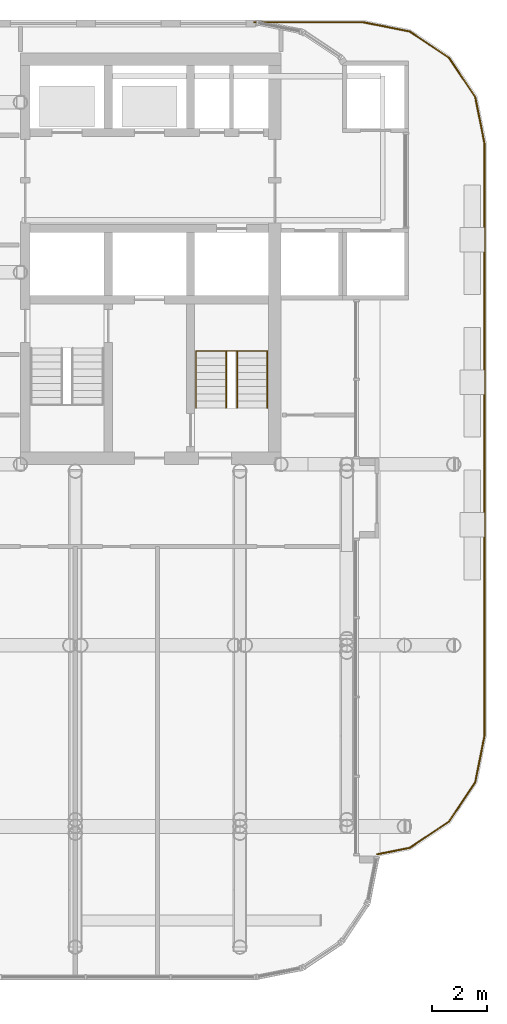
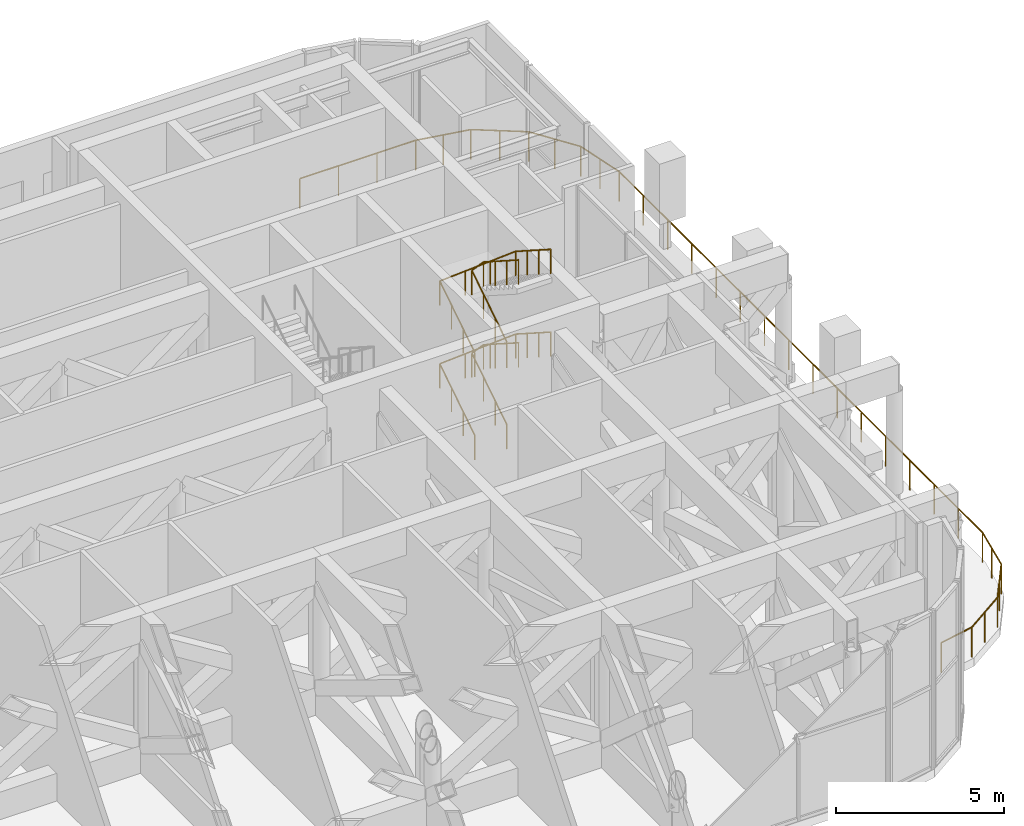
# One storey, part 19 of 21: 5 railings.
"""IFC4 building model written with IfcOpenShell, lengths in metres."""

from ifc_helpers import new_model, si_unit, direction, frame, origin, origin_2d, place, context, subcontext, project, spatial, circle, extrude, material, type_object, element, save


model = new_model("IFC4")

# Units and contexts
model_context = context("Model", 3, precision=1e-05, world=origin(), true_north=direction((0.0, 1.0)))
body_context = subcontext(model_context, "Body", "Model", "MODEL_VIEW")
ifc_project = project(units=[si_unit("LENGTHUNIT", "METRE"), si_unit("AREAUNIT", "SQUARE_METRE"), si_unit("VOLUMEUNIT", "CUBIC_METRE"), si_unit("PLANEANGLEUNIT", "RADIAN"), si_unit("MASSUNIT", "GRAM", prefix="KILO")], contexts=[model_context])

# Site, building, storey
site_placement = place(None, origin())
site = spatial("IfcSite", under=ifc_project, at=site_placement, CompositionType="ELEMENT")
building_placement = place(site_placement, origin())
building = spatial("IfcBuilding", under=site, at=building_placement, Name="Torana Hotel and Residences", CompositionType="ELEMENT")
storey_placement = place(building_placement, frame((0.0, 0.0, 246.60009765625)))
storey = spatial("IfcBuildingStorey", under=building, at=storey_placement, Name="L65", CompositionType="ELEMENT", Elevation=246.60009765625)

# Railings
ifc_material_1 = material(Name="Laminated glass balustrade with black handrail", Category="glass")
railing_type_1 = type_object("IfcRailingType", Name="GR1 BALCONY GUARD 1100 GLASS", PredefinedType="GUARDRAIL", material=ifc_material_1)
railing_1_placement = place(storey_placement, frame((18.525146484375, 1.1201171875, 0.0)))
element("IfcRailing", 1, at=railing_1_placement, inside=storey, type_object=railing_type_1, Name="Terrace guard L65 1", PredefinedType="GUARDRAIL", context=body_context, shape_type="SweptSolid", body=[
    extrude(circle(Radius=0.02392578125, at=origin_2d()), frame((0.0, 0.0, 1.076171875), z_axis=(1.0, 0.0, 0.0), x_axis=(0.0, 1.0, 0.0)), (0.0, 0.0, 1.0), 3.967041015625),
    extrude(circle(Radius=0.02392578125, at=origin_2d()), frame((3.967041015625, 0.0, 1.076171875), z_axis=(0.980759171067, -0.195221536638, 0.0), x_axis=(0.195221536638, 0.980759171067, 0.0)), (0.0, 0.0, 1.0), 1.732177734375),
    extrude(circle(Radius=0.02392578125, at=origin_2d()), frame((5.665771484375, -0.338134765625, 1.076171875), z_axis=(0.831461551283, -0.555582296999, 0.0), x_axis=(0.555582296999, 0.831461551283, 0.0)), (0.0, 0.0, 1.0), 1.723876953125),
    extrude(circle(Radius=0.02392578125, at=origin_2d()), frame((7.09912109375, -1.2958984375, 1.076171875), z_axis=(0.555582296999, -0.831461551283, 0.0), x_axis=(0.831461551283, 0.555582296999, 0.0)), (0.0, 0.0, 1.0), 1.723876953125),
    extrude(circle(Radius=0.02392578125, at=origin_2d()), frame((8.056884765625, -2.729248046875, 1.076171875), z_axis=(0.195085948833, -0.980786150273, 0.0), x_axis=(0.980786150273, 0.195085948833, 0.0)), (0.0, 0.0, 1.0), 1.73193359375),
    extrude(circle(Radius=0.02392578125, at=origin_2d()), frame((8.394775390625, -4.427978515625, 1.076171875), z_axis=(0.0, -1.0, 0.0), x_axis=(1.0, 0.0, 0.0)), (0.0, 0.0, 1.0), 21.584228515625),
    extrude(circle(Radius=0.02392578125, at=origin_2d()), frame((8.394775390625, -26.01220703125, 1.076171875), z_axis=(-0.195085948833, -0.980786150273, 0.0), x_axis=(0.980786150273, -0.195085948833, 0.0)), (0.0, 0.0, 1.0), 1.73193359375),
    extrude(circle(Radius=0.02392578125, at=origin_2d()), frame((8.056884765625, -27.7109375, 1.076171875), z_axis=(-0.555516881458, -0.831505258201, 0.0), x_axis=(0.831505258201, -0.555516881458, 0.0)), (0.0, 0.0, 1.0), 1.72412109375),
    extrude(circle(Radius=0.02392578125, at=origin_2d()), frame((7.09912109375, -29.14453125, 1.076171875), z_axis=(-0.831461551283, -0.555582296999, 0.0), x_axis=(0.555582296999, -0.831461551283, 0.0)), (0.0, 0.0, 1.0), 1.723876953125),
    extrude(circle(Radius=0.02392578125, at=origin_2d()), frame((5.665771484375, -30.102294921875, 1.076171875), z_axis=(-0.980813323397, -0.194949287372, 0.0), x_axis=(0.194949287372, -0.980813323397, 0.0)), (0.0, 0.0, 1.0), 1.207275390625),
    extrude(circle(Radius=0.02099609375, at=origin_2d()), origin(), (0.0, 0.0, 1.0), 1.052001953125),
    extrude(circle(Radius=0.02099609375, at=origin_2d()), frame((1.322265625, 0.0, 0.0)), (0.0, 0.0, 1.0), 1.052001953125),
    extrude(circle(Radius=0.02099609375, at=origin_2d()), frame((2.644775390625, 0.0, 0.0)), (0.0, 0.0, 1.0), 1.052001953125),
    extrude(circle(Radius=0.02099609375, at=origin_2d()), frame((3.967041015625, 0.0, 0.0)), (0.0, 0.0, 1.0), 1.052001953125),
    extrude(circle(Radius=0.02099609375, at=origin_2d()), frame((4.81640625, -0.1689453125, 0.0)), (0.0, 0.0, 1.0), 1.052001953125),
    extrude(circle(Radius=0.02099609375, at=origin_2d()), frame((5.665771484375, -0.338134765625, 0.0)), (0.0, 0.0, 1.0), 1.052001953125),
    extrude(circle(Radius=0.02099609375, at=origin_2d()), frame((6.38232421875, -0.81689453125, 0.0)), (0.0, 0.0, 1.0), 1.052001953125),
    extrude(circle(Radius=0.02099609375, at=origin_2d()), frame((7.09912109375, -1.2958984375, 0.0)), (0.0, 0.0, 1.0), 1.052001953125),
    extrude(circle(Radius=0.02099609375, at=origin_2d()), frame((7.578125, -2.0126953125, 0.0)), (0.0, 0.0, 1.0), 1.052001953125),
    extrude(circle(Radius=0.02099609375, at=origin_2d()), frame((8.056884765625, -2.729248046875, 0.0)), (0.0, 0.0, 1.0), 1.052001953125),
    extrude(circle(Radius=0.02099609375, at=origin_2d()), frame((8.225830078125, -3.57861328125, 0.0)), (0.0, 0.0, 1.0), 1.052001953125),
    extrude(circle(Radius=0.02099609375, at=origin_2d()), frame((8.394775390625, -4.427978515625, 0.0)), (0.0, 0.0, 1.0), 1.052001953125),
    extrude(circle(Radius=0.02099609375, at=origin_2d()), frame((8.394775390625, -5.866943359375, 0.0)), (0.0, 0.0, 1.0), 1.052001953125),
    extrude(circle(Radius=0.02099609375, at=origin_2d()), frame((8.394775390625, -7.305908203125, 0.0)), (0.0, 0.0, 1.0), 1.052001953125),
    extrude(circle(Radius=0.02099609375, at=origin_2d()), frame((8.394775390625, -8.744873046875, 0.0)), (0.0, 0.0, 1.0), 1.052001953125),
    extrude(circle(Radius=0.02099609375, at=origin_2d()), frame((8.394775390625, -10.183837890625, 0.0)), (0.0, 0.0, 1.0), 1.052001953125),
    extrude(circle(Radius=0.02099609375, at=origin_2d()), frame((8.394775390625, -11.622802734375, 0.0)), (0.0, 0.0, 1.0), 1.052001953125),
    extrude(circle(Radius=0.02099609375, at=origin_2d()), frame((8.394775390625, -13.061767578125, 0.0)), (0.0, 0.0, 1.0), 1.052001953125),
    extrude(circle(Radius=0.02099609375, at=origin_2d()), frame((8.394775390625, -14.500732421875, 0.0)), (0.0, 0.0, 1.0), 1.052001953125),
    extrude(circle(Radius=0.02099609375, at=origin_2d()), frame((8.394775390625, -15.939453125, 0.0)), (0.0, 0.0, 1.0), 1.052001953125),
    extrude(circle(Radius=0.02099609375, at=origin_2d()), frame((8.394775390625, -17.37841796875, 0.0)), (0.0, 0.0, 1.0), 1.052001953125),
    extrude(circle(Radius=0.02099609375, at=origin_2d()), frame((8.394775390625, -18.8173828125, 0.0)), (0.0, 0.0, 1.0), 1.052001953125),
    extrude(circle(Radius=0.02099609375, at=origin_2d()), frame((8.394775390625, -20.25634765625, 0.0)), (0.0, 0.0, 1.0), 1.052001953125),
    extrude(circle(Radius=0.02099609375, at=origin_2d()), frame((8.394775390625, -21.6953125, 0.0)), (0.0, 0.0, 1.0), 1.052001953125),
    extrude(circle(Radius=0.02099609375, at=origin_2d()), frame((8.394775390625, -23.13427734375, 0.0)), (0.0, 0.0, 1.0), 1.052001953125),
    extrude(circle(Radius=0.02099609375, at=origin_2d()), frame((8.394775390625, -24.5732421875, 0.0)), (0.0, 0.0, 1.0), 1.052001953125),
    extrude(circle(Radius=0.02099609375, at=origin_2d()), frame((8.394775390625, -26.01220703125, 0.0)), (0.0, 0.0, 1.0), 1.052001953125),
    extrude(circle(Radius=0.02099609375, at=origin_2d()), frame((8.225830078125, -26.861572265625, 0.0)), (0.0, 0.0, 1.0), 1.052001953125),
    extrude(circle(Radius=0.02099609375, at=origin_2d()), frame((8.056884765625, -27.7109375, 0.0)), (0.0, 0.0, 1.0), 1.052001953125),
    extrude(circle(Radius=0.02099609375, at=origin_2d()), frame((7.578125, -28.427734375, 0.0)), (0.0, 0.0, 1.0), 1.052001953125),
    extrude(circle(Radius=0.02099609375, at=origin_2d()), frame((7.09912109375, -29.14453125, 0.0)), (0.0, 0.0, 1.0), 1.052001953125),
    extrude(circle(Radius=0.02099609375, at=origin_2d()), frame((6.38232421875, -29.62353515625, 0.0)), (0.0, 0.0, 1.0), 1.052001953125),
    extrude(circle(Radius=0.02099609375, at=origin_2d()), frame((5.665771484375, -30.102294921875, 0.0)), (0.0, 0.0, 1.0), 1.052001953125),
    extrude(circle(Radius=0.02099609375, at=origin_2d()), frame((4.481689453125, -30.337646484375, 0.0)), (0.0, 0.0, 1.0), 1.052001953125),
])
ifc_material_2 = material(Name="Stainless steel 316", Category="steel")
railing_type_2 = type_object("IfcRailingType", Name="STAIR HANDRAIL HR1 900", PredefinedType="HANDRAIL", material=ifc_material_2)
railing_2_placement = place(storey_placement, frame((16.39990234375, -12.949951171875, 0.16650390625)))
element("IfcRailing", 2, at=railing_2_placement, inside=storey, type_object=railing_type_2, Name="Handrail ST4 L65 O1", PredefinedType="HANDRAIL", context=body_context, shape_type="SweptSolid", body=[
    extrude(circle(Radius=0.02392578125, at=origin_2d()), frame((0.0, 0.0, 0.8759765625), z_axis=(0.0, 0.841829634381, 0.539743334075), x_axis=(-1.0, 0.0, 0.0)), (0.0, 0.0, 1.0), 2.470703125),
    extrude(circle(Radius=0.02392578125, at=origin_2d()), frame((0.0, 2.079833984375, 2.20947265625), z_axis=(0.997955880303, 0.0, 0.06390665825), x_axis=(0.0, 1.0, 0.0)), (0.0, 0.0, 1.0), 2.60546875),
    extrude(circle(Radius=0.02392578125, at=origin_2d()), frame((2.60009765625, 2.079833984375, 2.3759765625), z_axis=(0.0, -0.841829634381, 0.539743334075), x_axis=(1.0, 0.0, 0.0)), (0.0, 0.0, 1.0), 2.470703125),
    extrude(circle(Radius=0.02099609375, at=origin_2d()), origin(), (0.0, 0.0, 1.0), 0.851806640625),
    extrude(circle(Radius=0.02099609375, at=origin_2d()), frame((0.0, 0.693359375, 0.444580078125)), (0.0, 0.0, 1.0), 0.851806640625),
    extrude(circle(Radius=0.02099609375, at=origin_2d()), frame((0.0, 1.386474609375, 0.888916015625)), (0.0, 0.0, 1.0), 0.851806640625),
    extrude(circle(Radius=0.02099609375, at=origin_2d()), frame((0.0, 2.079833984375, 1.33349609375)), (0.0, 0.0, 1.0), 0.851806640625),
    extrude(circle(Radius=0.02099609375, at=origin_2d()), frame((0.86669921875, 2.079833984375, 1.388916015625)), (0.0, 0.0, 1.0), 0.851806640625),
    extrude(circle(Radius=0.02099609375, at=origin_2d()), frame((1.7333984375, 2.079833984375, 1.444580078125)), (0.0, 0.0, 1.0), 0.851806640625),
    extrude(circle(Radius=0.02099609375, at=origin_2d()), frame((2.60009765625, 2.079833984375, 1.5)), (0.0, 0.0, 1.0), 0.851806640625),
    extrude(circle(Radius=0.02099609375, at=origin_2d()), frame((2.60009765625, 1.386474609375, 1.944580078125)), (0.0, 0.0, 1.0), 0.851806640625),
    extrude(circle(Radius=0.02099609375, at=origin_2d()), frame((2.60009765625, 0.693359375, 2.388916015625)), (0.0, 0.0, 1.0), 0.851806640625),
    extrude(circle(Radius=0.02099609375, at=origin_2d()), frame((2.60009765625, 0.0, 2.83349609375)), (0.0, 0.0, 1.0), 0.851806640625),
])
railing_3_placement = place(storey_placement, frame((17.5, -12.949951171875, 0.16650390625)))
element("IfcRailing", 3, at=railing_3_placement, inside=storey, type_object=railing_type_2, Name="Handrail ST4 L65 I1", PredefinedType="HANDRAIL", context=body_context, shape_type="SweptSolid", body=[
    extrude(circle(Radius=0.02392578125, at=origin_2d()), frame((0.0, 0.0, 0.8759765625), z_axis=(0.0, 0.841829634381, 0.539743334075), x_axis=(-1.0, 0.0, 0.0)), (0.0, 0.0, 1.0), 2.470703125),
    extrude(circle(Radius=0.02392578125, at=origin_2d()), frame((0.0, 2.079833984375, 2.20947265625), z_axis=(0.9231769392, 0.0, 0.384375257957), x_axis=(0.0, 1.0, 0.0)), (0.0, 0.0, 1.0), 0.43310546875),
    extrude(circle(Radius=0.02392578125, at=origin_2d()), frame((0.39990234375, 2.079833984375, 2.3759765625), z_axis=(0.0, -0.841829634381, 0.539743334075), x_axis=(1.0, 0.0, 0.0)), (0.0, 0.0, 1.0), 2.470703125),
    extrude(circle(Radius=0.02099609375, at=origin_2d()), origin(), (0.0, 0.0, 1.0), 0.851806640625),
    extrude(circle(Radius=0.02099609375, at=origin_2d()), frame((0.0, 0.693359375, 0.444580078125)), (0.0, 0.0, 1.0), 0.851806640625),
    extrude(circle(Radius=0.02099609375, at=origin_2d()), frame((0.0, 1.386474609375, 0.888916015625)), (0.0, 0.0, 1.0), 0.851806640625),
    extrude(circle(Radius=0.02099609375, at=origin_2d()), frame((0.0, 2.079833984375, 1.33349609375)), (0.0, 0.0, 1.0), 0.851806640625),
    extrude(circle(Radius=0.02099609375, at=origin_2d()), frame((0.39990234375, 2.079833984375, 1.5)), (0.0, 0.0, 1.0), 0.851806640625),
    extrude(circle(Radius=0.02099609375, at=origin_2d()), frame((0.39990234375, 1.386474609375, 1.944580078125)), (0.0, 0.0, 1.0), 0.851806640625),
    extrude(circle(Radius=0.02099609375, at=origin_2d()), frame((0.39990234375, 0.693359375, 2.388916015625)), (0.0, 0.0, 1.0), 0.851806640625),
    extrude(circle(Radius=0.02099609375, at=origin_2d()), frame((0.39990234375, 0.0, 2.83349609375)), (0.0, 0.0, 1.0), 0.851806640625),
])
railing_4_placement = place(storey_placement, frame((16.39990234375, -12.949951171875, 3.16650390625)))
element("IfcRailing", 4, at=railing_4_placement, inside=storey, type_object=railing_type_2, Name="Handrail ST4 L65 O2", PredefinedType="HANDRAIL", context=body_context, shape_type="SweptSolid", body=[
    extrude(circle(Radius=0.02392578125, at=origin_2d()), frame((0.0, 0.0, 0.8759765625), z_axis=(0.0, 0.841829634381, 0.539743334075), x_axis=(-1.0, 0.0, 0.0)), (0.0, 0.0, 1.0), 2.470703125),
    extrude(circle(Radius=0.02392578125, at=origin_2d()), frame((0.0, 2.079833984375, 2.20947265625), z_axis=(0.997955880303, 0.0, 0.06390665825), x_axis=(0.0, 1.0, 0.0)), (0.0, 0.0, 1.0), 2.60546875),
    extrude(circle(Radius=0.02392578125, at=origin_2d()), frame((2.60009765625, 2.079833984375, 2.3759765625), z_axis=(0.0, -0.841829634381, 0.539743334075), x_axis=(1.0, 0.0, 0.0)), (0.0, 0.0, 1.0), 2.470703125),
    extrude(circle(Radius=0.02099609375, at=origin_2d()), origin(), (0.0, 0.0, 1.0), 0.851806640625),
    extrude(circle(Radius=0.02099609375, at=origin_2d()), frame((0.0, 0.693359375, 0.444580078125)), (0.0, 0.0, 1.0), 0.851806640625),
    extrude(circle(Radius=0.02099609375, at=origin_2d()), frame((0.0, 1.386474609375, 0.888916015625)), (0.0, 0.0, 1.0), 0.851806640625),
    extrude(circle(Radius=0.02099609375, at=origin_2d()), frame((0.0, 2.079833984375, 1.33349609375)), (0.0, 0.0, 1.0), 0.851806640625),
    extrude(circle(Radius=0.02099609375, at=origin_2d()), frame((0.86669921875, 2.079833984375, 1.388916015625)), (0.0, 0.0, 1.0), 0.851806640625),
    extrude(circle(Radius=0.02099609375, at=origin_2d()), frame((1.7333984375, 2.079833984375, 1.444580078125)), (0.0, 0.0, 1.0), 0.851806640625),
    extrude(circle(Radius=0.02099609375, at=origin_2d()), frame((2.60009765625, 2.079833984375, 1.5)), (0.0, 0.0, 1.0), 0.851806640625),
    extrude(circle(Radius=0.02099609375, at=origin_2d()), frame((2.60009765625, 1.386474609375, 1.944580078125)), (0.0, 0.0, 1.0), 0.851806640625),
    extrude(circle(Radius=0.02099609375, at=origin_2d()), frame((2.60009765625, 0.693359375, 2.388916015625)), (0.0, 0.0, 1.0), 0.851806640625),
    extrude(circle(Radius=0.02099609375, at=origin_2d()), frame((2.60009765625, 0.0, 2.83349609375)), (0.0, 0.0, 1.0), 0.851806640625),
])
railing_5_placement = place(storey_placement, frame((17.5, -12.949951171875, 3.16650390625)))
element("IfcRailing", 5, at=railing_5_placement, inside=storey, type_object=railing_type_2, Name="Handrail ST4 L65 I2", PredefinedType="HANDRAIL", context=body_context, shape_type="SweptSolid", body=[
    extrude(circle(Radius=0.02392578125, at=origin_2d()), frame((0.0, 0.0, 0.8759765625), z_axis=(0.0, 0.841829634381, 0.539743334075), x_axis=(-1.0, 0.0, 0.0)), (0.0, 0.0, 1.0), 2.470703125),
    extrude(circle(Radius=0.02392578125, at=origin_2d()), frame((0.0, 2.079833984375, 2.20947265625), z_axis=(0.9231769392, 0.0, 0.384375257957), x_axis=(0.0, 1.0, 0.0)), (0.0, 0.0, 1.0), 0.43310546875),
    extrude(circle(Radius=0.02392578125, at=origin_2d()), frame((0.39990234375, 2.079833984375, 2.3759765625), z_axis=(0.0, -0.841829634381, 0.539743334075), x_axis=(1.0, 0.0, 0.0)), (0.0, 0.0, 1.0), 2.470703125),
    extrude(circle(Radius=0.02099609375, at=origin_2d()), origin(), (0.0, 0.0, 1.0), 0.851806640625),
    extrude(circle(Radius=0.02099609375, at=origin_2d()), frame((0.0, 0.693359375, 0.444580078125)), (0.0, 0.0, 1.0), 0.851806640625),
    extrude(circle(Radius=0.02099609375, at=origin_2d()), frame((0.0, 1.386474609375, 0.888916015625)), (0.0, 0.0, 1.0), 0.851806640625),
    extrude(circle(Radius=0.02099609375, at=origin_2d()), frame((0.0, 2.079833984375, 1.33349609375)), (0.0, 0.0, 1.0), 0.851806640625),
    extrude(circle(Radius=0.02099609375, at=origin_2d()), frame((0.39990234375, 2.079833984375, 1.5)), (0.0, 0.0, 1.0), 0.851806640625),
    extrude(circle(Radius=0.02099609375, at=origin_2d()), frame((0.39990234375, 1.386474609375, 1.944580078125)), (0.0, 0.0, 1.0), 0.851806640625),
    extrude(circle(Radius=0.02099609375, at=origin_2d()), frame((0.39990234375, 0.693359375, 2.388916015625)), (0.0, 0.0, 1.0), 0.851806640625),
    extrude(circle(Radius=0.02099609375, at=origin_2d()), frame((0.39990234375, 0.0, 2.83349609375)), (0.0, 0.0, 1.0), 0.851806640625),
])

save(model, "model.ifc")
